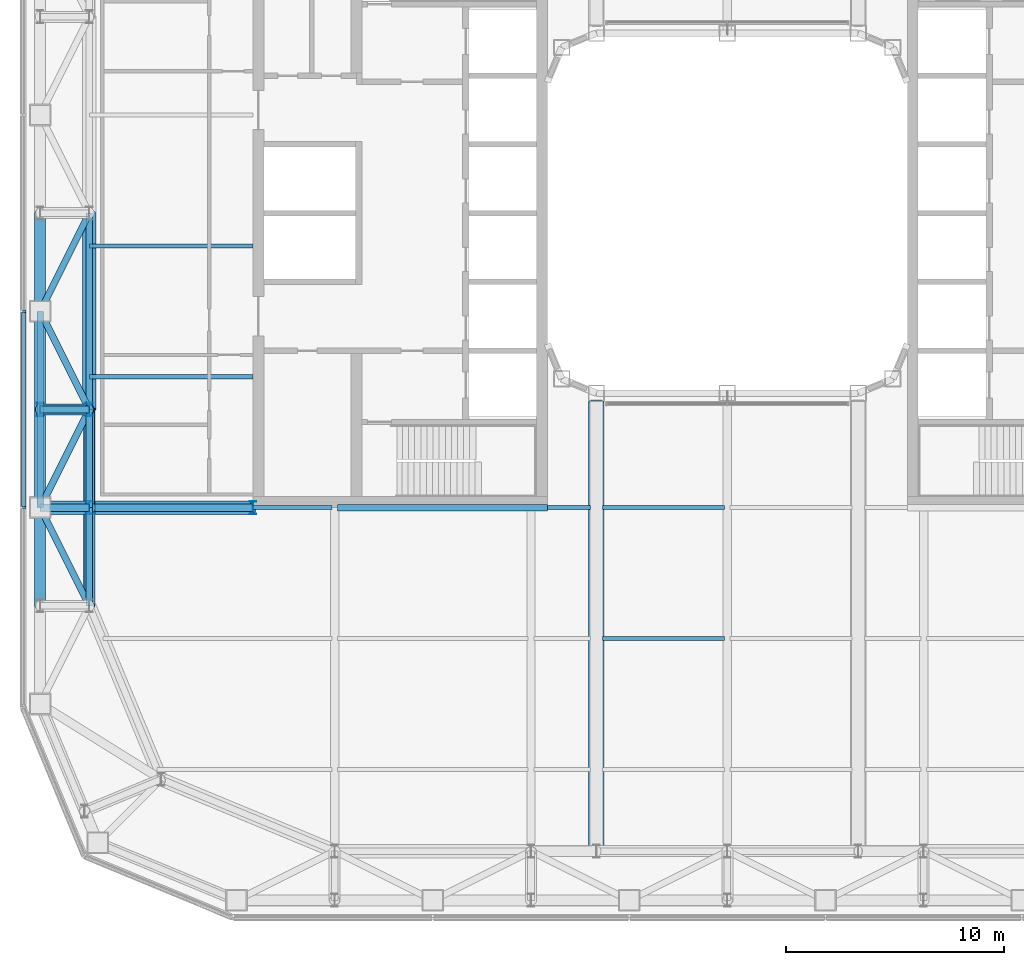
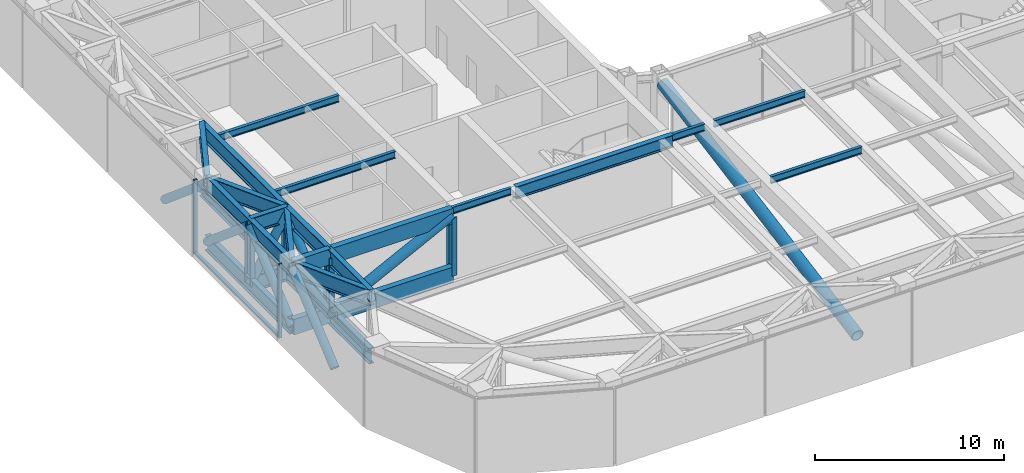
# One storey, part 3 of 33: 25 beams, 18 members, 1 element without a shape of its own.
"""IFC4 building model written with IfcOpenShell, lengths in metres."""

from ifc_helpers import new_model, si_unit, direction, frame, origin, origin_2d, place, context, subcontext, project, spatial, rectangle, hollow_rectangle, hollow_circle, i_section, extrude, material, layer, layer_set, material_profile, profile_set, type_object, element, aggregate, save


model = new_model("IFC4")

# Units and contexts
model_context = context("Model", 3, precision=1e-05, world=origin(), true_north=direction((0.0, 1.0)))
body_context = subcontext(model_context, "Body", "Model", "MODEL_VIEW")
ifc_project = project(units=[si_unit("LENGTHUNIT", "METRE"), si_unit("AREAUNIT", "SQUARE_METRE"), si_unit("VOLUMEUNIT", "CUBIC_METRE"), si_unit("PLANEANGLEUNIT", "RADIAN"), si_unit("MASSUNIT", "GRAM", prefix="KILO")], contexts=[model_context])

# Site, building, storey
site_placement = place(None, origin())
site = spatial("IfcSite", under=ifc_project, at=site_placement, CompositionType="ELEMENT")
building_placement = place(site_placement, origin())
building = spatial("IfcBuilding", under=site, at=building_placement, Name="Siwar Civic Tower", CompositionType="ELEMENT")
storey_placement = place(building_placement, frame((0.0, 0.0, 94.199951171875)))
storey = spatial("IfcBuildingStorey", under=building, at=storey_placement, Name="L20", CompositionType="ELEMENT", Elevation=94.199951171875)

# Curtain wall, members
ifc_material_1 = material(Name="Aluminium and glass", Category="aluminium")
ifc_layer = layer(ifc_material_1, 0.199951171875)
ifc_layer_set = layer_set([ifc_layer], Name="Aluminium and glass")
curtain_wall_type = type_object("IfcCurtainWallType", Name="ENV-CW-P", PredefinedType="NOTDEFINED", material=ifc_layer_set)
curtain_wall_placement = place(storey_placement, origin())
curtain_wall = element("IfcCurtainWall", 1, at=curtain_wall_placement, inside=storey, type_object=curtain_wall_type, Name="Curtain wall P W", PredefinedType="NOTDEFINED")
ifc_material_2 = material(Name="Aluminium 6063-T6", Category="aluminium")
ifc_material_profile_1 = material_profile(ifc_material_2, rectangle(XDim=0.199951171875, YDim=0.10009765625, at=origin_2d()), Name="AL 200x100")
ifc_profile_set_1 = profile_set([ifc_material_profile_1], Name="Aluminium 6063-T6")
member_type_1 = type_object("IfcMemberType", Name="ENV-MULLION-P", PredefinedType="MULLION", material=ifc_profile_set_1)
member_1_placement = place(storey_placement, frame((-32.25, -4.5, 0.0), z_axis=(0.0, 0.0, 1.0), x_axis=(1.0, 0.0, 0.0)))
member_1 = element("IfcMember", 2, at=member_1_placement, type_object=member_type_1, Name="Mullion P W 4", PredefinedType="MULLION", context=body_context, shape_type="SweptSolid", body=[
    extrude(rectangle(XDim=0.199951171875, YDim=0.10009765625, at=origin_2d()), origin(), (0.0, 0.0, 1.0), 4.800048828125),
])
member_2_placement = place(storey_placement, frame((-32.25, -13.5, 0.0), z_axis=(0.0, 0.0, 1.0), x_axis=(1.0, 0.0, 0.0)))
member_2 = element("IfcMember", 3, at=member_2_placement, type_object=member_type_1, Name="Mullion P W 5", PredefinedType="MULLION", context=body_context, shape_type="SweptSolid", body=[
    extrude(rectangle(XDim=0.199951171875, YDim=0.10009765625, at=origin_2d()), origin(), (0.0, 0.0, 1.0), 4.800048828125),
])
ifc_material_3 = material(Name="Aluminium 6063-T6", Category="aluminium")
ifc_material_profile_2 = material_profile(ifc_material_3, rectangle(XDim=0.199951171875, YDim=0.1201171875, at=origin_2d()), Name="AL 200x120")
ifc_profile_set_2 = profile_set([ifc_material_profile_2], Name="Aluminium 6063-T6")
member_type_2 = type_object("IfcMemberType", Name="ENV-TRANSOM-P", PredefinedType="USERDEFINED", material=ifc_profile_set_2)
member_3_placement = place(storey_placement, frame((-32.25, -4.550048828125, 0.06005859375), z_axis=(0.0, -1.0, 0.0), x_axis=(1.0, 0.0, 0.0)))
member_3 = element("IfcMember", 4, at=member_3_placement, type_object=member_type_2, Name="Transom P W 4", ObjectType="TRANSOM", PredefinedType="USERDEFINED", context=body_context, shape_type="SweptSolid", body=[
    extrude(rectangle(XDim=0.199951171875, YDim=0.1201171875, at=origin_2d()), origin(), (0.0, 0.0, 1.0), 8.89990234375),
])
aggregate(curtain_wall, [member_1, member_2, member_3])

# Beams
ifc_material_4 = material(Name="Steel S460", Category="steel")
ifc_material_profile_3 = material_profile(ifc_material_4, i_section(OverallWidth=0.302001953125, OverallDepth=1.008056640625, WebThickness=0.02099609375, FlangeThickness=0.0400390625, FilletRadius=0.030029296875, at=origin_2d()), Name="HEM1000")
ifc_profile_set_3 = profile_set([ifc_material_profile_3], Name="Steel S460")
beam_type_1 = type_object("IfcBeamType", Name="STR-BELT-TRUSS-CHORD-HEM1000", PredefinedType="BEAM", material=ifc_profile_set_3)
for number, where, z_axis, x_axis, name in (
    (5, (-29.25, 0.0, 0.504150390625), (0.0, -1.0, 0.0), (1.0, 0.0, 0.0), "Belt truss chord"),
    (6, (-29.25, 0.0, 4.296142578125), (0.0, -1.0, 0.0), (1.0, 0.0, 0.0), "Belt truss chord"),
):
    element("IfcBeam", number, at=place(storey_placement, frame(where, z_axis=z_axis, x_axis=x_axis)), inside=storey, type_object=beam_type_1, Name=name, PredefinedType="BEAM", context=body_context, shape_type="SweptSolid", body=[
        extrude(i_section(OverallWidth=0.302001953125, OverallDepth=1.008056640625, WebThickness=0.02099609375, FlangeThickness=0.0400390625, FilletRadius=0.030029296875, at=origin_2d()), origin(), (0.0, 0.0, 1.0), 9.0),
    ])
for number, where, z_axis, x_axis, name in (
    (7, (-29.25, -9.0, 0.504150390625), (0.0, -1.0, 0.0), (1.0, 0.0, 0.0), "Belt truss chord"),
    (8, (-29.25, -9.0, 4.296142578125), (0.0, -1.0, 0.0), (1.0, 0.0, 0.0), "Belt truss chord"),
    (9, (-29.25, -13.5, 0.504150390625), (0.0, -1.0, 0.0), (1.0, 0.0, 0.0), "Belt truss chord"),
    (10, (-29.25, -13.5, 4.296142578125), (0.0, -1.0, 0.0), (1.0, 0.0, 0.0), "Belt truss chord"),
):
    element("IfcBeam", number, at=place(storey_placement, frame(where, z_axis=z_axis, x_axis=x_axis)), inside=storey, type_object=beam_type_1, Name=name, PredefinedType="BEAM", context=body_context, shape_type="SweptSolid", body=[
        extrude(i_section(OverallWidth=0.302001953125, OverallDepth=1.008056640625, WebThickness=0.02099609375, FlangeThickness=0.0400390625, FilletRadius=0.030029296875, at=origin_2d()), origin(), (0.0, 0.0, 1.0), 4.5),
    ])
for number, where, z_axis, x_axis, name in (
    (11, (-31.5, -4.5, 0.504150390625), (0.0, -1.0, 0.0), (1.0, 0.0, 0.0), "Belt truss chord"),
    (12, (-31.5, -4.5, 4.296142578125), (0.0, -1.0, 0.0), (1.0, 0.0, 0.0), "Belt truss chord"),
):
    element("IfcBeam", number, at=place(storey_placement, frame(where, z_axis=z_axis, x_axis=x_axis)), inside=storey, type_object=beam_type_1, Name=name, PredefinedType="BEAM", context=body_context, shape_type="SweptSolid", body=[
        extrude(i_section(OverallWidth=0.302001953125, OverallDepth=1.008056640625, WebThickness=0.02099609375, FlangeThickness=0.0400390625, FilletRadius=0.030029296875, at=origin_2d()), origin(), (0.0, 0.0, 1.0), 9.0),
    ])

# Members
ifc_material_5 = material(Name="Steel S355", Category="steel")
ifc_material_profile_4 = material_profile(ifc_material_5, hollow_circle(Radius=0.25390625, WallThickness=0.02490234375, at=origin_2d()), Name="CHS508x25")
ifc_profile_set_4 = profile_set([ifc_material_profile_4], Name="Steel S355")
member_type_3 = type_object("IfcMemberType", Name="STR-BELT-TRUSS-DIAGONAL-CHS508x25", PredefinedType="BRACE", material=ifc_profile_set_4)
for number, where, z_axis, x_axis, name in (
    (13, (-29.25, -13.50390625, 0.500732421875), (0.0, 0.764699580999, 0.644386957364), (-1.0, 0.0, 0.0), "Belt truss diagonal"),
    (14, (-29.25, -13.49609375, 0.500732421875), (0.0, -0.764699580999, 0.644386957364), (1.0, 0.0, 0.0), "Belt truss diagonal"),
    (15, (-31.5, 0.00390625, 0.500732421875), (0.0, -0.764699580999, 0.644386957364), (1.0, 0.0, 0.0), "Belt truss diagonal"),
    (16, (-31.5, -4.49609375, 0.500732421875), (0.0, -0.764699580999, 0.644386957364), (1.0, 0.0, 0.0), "Belt truss diagonal"),
    (17, (-31.5, -13.50390625, 0.500732421875), (0.0, 0.764699580999, 0.644386957364), (-1.0, 0.0, 0.0), "Belt truss diagonal"),
    (18, (-31.5, -18.00390625, 0.500732421875), (0.0, 0.764699580999, 0.644386957364), (-1.0, 0.0, 0.0), "Belt truss diagonal"),
):
    element("IfcMember", number, at=place(storey_placement, frame(where, z_axis=z_axis, x_axis=x_axis)), inside=storey, type_object=member_type_3, Name=name, PredefinedType="BRACE", context=body_context, shape_type="SweptSolid", body=[
        extrude(hollow_circle(Radius=0.25390625, WallThickness=0.02490234375, at=origin_2d()), origin(), (0.0, 0.0, 1.0), 5.894775390625),
    ])
member_4_placement = place(storey_placement, frame((-31.50244140625, -9.0, 0.499755859375), z_axis=(0.510256630496, 0.0, 0.860022192176), x_axis=(0.0, 1.0, 0.0)))
element("IfcMember", 19, at=member_4_placement, inside=storey, type_object=member_type_3, Name="Belt truss diagonal", PredefinedType="BRACE", context=body_context, shape_type="SweptSolid", body=[
    extrude(hollow_circle(Radius=0.25390625, WallThickness=0.02490234375, at=origin_2d()), origin(), (0.0, 0.0, 1.0), 4.419189453125),
])
ifc_material_6 = material(Name="Steel S355", Category="steel")
ifc_material_profile_5 = material_profile(ifc_material_6, hollow_circle(Radius=0.304931640625, WallThickness=0.030029296875, at=origin_2d()), Name="CHS610x30")
ifc_profile_set_5 = profile_set([ifc_material_profile_5], Name="Steel S355")
member_type_4 = type_object("IfcMemberType", Name="STR-BELT-TRUSS-DIAGONAL-CHS610x30", PredefinedType="BRACE", material=ifc_profile_set_5)
member_5_placement = place(storey_placement, frame((-29.25, 0.004638671875, 0.502197265625), z_axis=(0.0, -0.921543214524, 0.388275808884), x_axis=(1.0, 0.0, 0.0)))
element("IfcMember", 20, at=member_5_placement, inside=storey, type_object=member_type_4, Name="Belt truss diagonal", PredefinedType="BRACE", context=body_context, shape_type="SweptSolid", body=[
    extrude(hollow_circle(Radius=0.304931640625, WallThickness=0.030029296875, at=origin_2d()), origin(), (0.0, 0.0, 1.0), 9.7763671875),
])

# Beams
ifc_material_7 = material(Name="Steel S460", Category="steel")
ifc_material_profile_6 = material_profile(ifc_material_7, i_section(OverallWidth=0.302001953125, OverallDepth=1.008056640625, WebThickness=0.02099609375, FlangeThickness=0.0400390625, FilletRadius=0.030029296875, at=origin_2d()), Name="HEM1000")
ifc_profile_set_6 = profile_set([ifc_material_profile_6], Name="Steel S460")
beam_type_2 = type_object("IfcBeamType", Name="STR-BELT-TRUSS-LADDER-CHORD-HEM1000", PredefinedType="BEAM", material=ifc_profile_set_6)
for number, where, z_axis, x_axis, name in (
    (21, (-29.25, -9.0, 0.504150390625), (-1.0, 0.0, 0.0), (0.0, -1.0, 0.0), "Belt truss ladder chord"),
    (22, (-29.25, -9.0, 4.296142578125), (-1.0, 0.0, 0.0), (0.0, -1.0, 0.0), "Belt truss ladder chord"),
):
    element("IfcBeam", number, at=place(storey_placement, frame(where, z_axis=z_axis, x_axis=x_axis)), inside=storey, type_object=beam_type_2, Name=name, PredefinedType="BEAM", context=body_context, shape_type="SweptSolid", body=[
        extrude(i_section(OverallWidth=0.302001953125, OverallDepth=1.008056640625, WebThickness=0.02099609375, FlangeThickness=0.0400390625, FilletRadius=0.030029296875, at=origin_2d()), origin(), (0.0, 0.0, 1.0), 2.25),
    ])

# Members
ifc_material_8 = material(Name="Steel S355", Category="steel")
ifc_material_profile_7 = material_profile(ifc_material_8, i_section(OverallWidth=0.300048828125, OverallDepth=0.60009765625, WebThickness=0.015380859375, FlangeThickness=0.030029296875, FilletRadius=0.027099609375, at=origin_2d()), Name="HEB600")
ifc_profile_set_7 = profile_set([ifc_material_profile_7], Name="Steel S355")
member_type_5 = type_object("IfcMemberType", Name="STR-BELT-TRUSS-POST-HEB600", PredefinedType="POST", material=ifc_profile_set_7)
for number, where, z_axis, x_axis, name in (
    (23, (-31.5, -9.0, 0.504150390625), (0.0, 0.0, 1.0), (1.0, 0.0, 0.0), "Belt truss post"),
    (24, (-29.25, -13.5, 0.504150390625), (0.0, 0.0, 1.0), (1.0, 0.0, 0.0), "Belt truss post"),
    (25, (-29.25, -9.0, 0.504150390625), (0.0, 0.0, 1.0), (1.0, 0.0, 0.0), "Belt truss post"),
):
    element("IfcMember", number, at=place(storey_placement, frame(where, z_axis=z_axis, x_axis=x_axis)), inside=storey, type_object=member_type_5, Name=name, PredefinedType="POST", context=body_context, shape_type="SweptSolid", body=[
        extrude(i_section(OverallWidth=0.300048828125, OverallDepth=0.60009765625, WebThickness=0.015380859375, FlangeThickness=0.030029296875, FilletRadius=0.027099609375, at=origin_2d()), origin(), (0.0, 0.0, 1.0), 3.7919921875),
    ])

# Beams
ifc_material_9 = material(Name="Steel S355", Category="steel")
ifc_material_profile_8 = material_profile(ifc_material_9, i_section(OverallWidth=0.18994140625, OverallDepth=0.449951171875, WebThickness=0.009521484375, FlangeThickness=0.0146484375, FilletRadius=0.02099609375, at=origin_2d()), Name="IPE450")
ifc_profile_set_8 = profile_set([ifc_material_profile_8], Name="Steel S355")
beam_type_3 = type_object("IfcBeamType", Name="STR-FB-IPE450", PredefinedType="JOIST", material=ifc_profile_set_8)
beam_1_placement = place(storey_placement, frame((-5.719970703125, -19.5, 4.574951171875), z_axis=(1.0, 0.0, 0.0), x_axis=(0.0, 1.0, 0.0)))
element("IfcBeam", 26, at=beam_1_placement, inside=storey, type_object=beam_type_3, Name="L20/bm/F012", PredefinedType="JOIST", context=body_context, shape_type="SweptSolid", body=[
    extrude(i_section(OverallWidth=0.18994140625, OverallDepth=0.449951171875, WebThickness=0.009521484375, FlangeThickness=0.0146484375, FilletRadius=0.02099609375, at=origin_2d()), origin(), (0.0, 0.0, 1.0), 5.590087890625),
])
beam_2_placement = place(storey_placement, frame((-21.75, -13.5, 4.574951171875), z_axis=(1.0, 0.0, 0.0), x_axis=(0.0, 1.0, 0.0)))
element("IfcBeam", 27, at=beam_2_placement, inside=storey, type_object=beam_type_3, Name="L20/bm/F017", PredefinedType="JOIST", context=body_context, shape_type="SweptSolid", body=[
    extrude(i_section(OverallWidth=0.18994140625, OverallDepth=0.449951171875, WebThickness=0.009521484375, FlangeThickness=0.0146484375, FilletRadius=0.02099609375, at=origin_2d()), origin(), (0.0, 0.0, 1.0), 3.6201171875),
])
beam_3_placement = place(storey_placement, frame((-8.25, -13.5, 4.574951171875), z_axis=(1.0, 0.0, 0.0), x_axis=(0.0, 1.0, 0.0)))
element("IfcBeam", 28, at=beam_3_placement, inside=storey, type_object=beam_type_3, Name="L20/bm/F019", PredefinedType="JOIST", context=body_context, shape_type="SweptSolid", body=[
    extrude(i_section(OverallWidth=0.18994140625, OverallDepth=0.449951171875, WebThickness=0.009521484375, FlangeThickness=0.0146484375, FilletRadius=0.02099609375, at=origin_2d()), origin(), (0.0, 0.0, 1.0), 1.969970703125),
])
beam_4_placement = place(storey_placement, frame((-5.719970703125, -13.5, 4.574951171875), z_axis=(1.0, 0.0, 0.0), x_axis=(0.0, 1.0, 0.0)))
element("IfcBeam", 29, at=beam_4_placement, inside=storey, type_object=beam_type_3, Name="L20/bm/F020", PredefinedType="JOIST", context=body_context, shape_type="SweptSolid", body=[
    extrude(i_section(OverallWidth=0.18994140625, OverallDepth=0.449951171875, WebThickness=0.009521484375, FlangeThickness=0.0146484375, FilletRadius=0.02099609375, at=origin_2d()), origin(), (0.0, 0.0, 1.0), 5.590087890625),
])
for number, where, z_axis, x_axis, name in (
    (30, (-29.25, -7.5, 4.574951171875), (1.0, 0.0, 0.0), (0.0, 1.0, 0.0), "L20/bm/F025"),
    (31, (-29.25, -1.5, 4.574951171875), (1.0, 0.0, 0.0), (0.0, 1.0, 0.0), "L20/bm/F027"),
):
    element("IfcBeam", number, at=place(storey_placement, frame(where, z_axis=z_axis, x_axis=x_axis)), inside=storey, type_object=beam_type_3, Name=name, PredefinedType="JOIST", context=body_context, shape_type="SweptSolid", body=[
        extrude(i_section(OverallWidth=0.18994140625, OverallDepth=0.449951171875, WebThickness=0.009521484375, FlangeThickness=0.0146484375, FilletRadius=0.02099609375, at=origin_2d()), origin(), (0.0, 0.0, 1.0), 7.5),
    ])
ifc_material_10 = material(Name="Steel S460", Category="steel")
ifc_material_profile_9 = material_profile(ifc_material_10, hollow_rectangle(XDim=0.35009765625, YDim=1.008056640625, WallThickness=0.0400390625, at=origin_2d()), Name="BOX1008x350x40")
ifc_profile_set_9 = profile_set([ifc_material_profile_9], Name="Steel S460")
beam_type_4 = type_object("IfcBeamType", Name="STR-OUTRIGGER-TRUSS-CHORD-BOX1008x350x40", PredefinedType="BEAM", material=ifc_profile_set_9)
for number, where, z_axis, x_axis, name in (
    (32, (-31.5, -13.5, 0.504150390625), (1.0, 0.0, 0.0), (0.0, 1.0, 0.0), "Outrigger truss chord"),
    (33, (-31.5, -13.5, 4.296142578125), (1.0, 0.0, 0.0), (0.0, 1.0, 0.0), "Outrigger truss chord"),
):
    element("IfcBeam", number, at=place(storey_placement, frame(where, z_axis=z_axis, x_axis=x_axis)), inside=storey, type_object=beam_type_4, Name=name, PredefinedType="BEAM", context=body_context, shape_type="SweptSolid", body=[
        extrude(hollow_rectangle(XDim=0.35009765625, YDim=1.008056640625, WallThickness=0.0400390625, at=origin_2d()), origin(), (0.0, 0.0, 1.0), 2.25),
    ])
for number, where, z_axis, x_axis, name in (
    (34, (-29.25, -13.5, 0.504150390625), (1.0, 0.0, 0.0), (0.0, 1.0, 0.0), "Outrigger truss chord"),
    (35, (-29.25, -13.5, 4.296142578125), (1.0, 0.0, 0.0), (0.0, 1.0, 0.0), "Outrigger truss chord"),
):
    element("IfcBeam", number, at=place(storey_placement, frame(where, z_axis=z_axis, x_axis=x_axis)), inside=storey, type_object=beam_type_4, Name=name, PredefinedType="BEAM", context=body_context, shape_type="SweptSolid", body=[
        extrude(hollow_rectangle(XDim=0.35009765625, YDim=1.008056640625, WallThickness=0.0400390625, at=origin_2d()), origin(), (0.0, 0.0, 1.0), 7.5),
    ])

# Members
ifc_material_11 = material(Name="Steel S355", Category="steel")
ifc_material_profile_10 = material_profile(ifc_material_11, hollow_circle(Radius=0.304931640625, WallThickness=0.030029296875, at=origin_2d()), Name="CHS610x30")
ifc_profile_set_10 = profile_set([ifc_material_profile_10], Name="Steel S355")
member_type_6 = type_object("IfcMemberType", Name="STR-OUTRIGGER-TRUSS-DIAGONAL-CHS610x30", PredefinedType="BRACE", material=ifc_profile_set_10)
member_6_placement = place(storey_placement, frame((-29.24755859375, -13.5, 0.499755859375), z_axis=(-0.510256630496, 0.0, 0.860022192176), x_axis=(0.0, -1.0, 0.0)))
element("IfcMember", 36, at=member_6_placement, inside=storey, type_object=member_type_6, Name="Outrigger truss diagonal", PredefinedType="BRACE", context=body_context, shape_type="SweptSolid", body=[
    extrude(hollow_circle(Radius=0.304931640625, WallThickness=0.030029296875, at=origin_2d()), origin(), (0.0, 0.0, 1.0), 4.419189453125),
])
member_7_placement = place(storey_placement, frame((-29.25439453125, -13.5, 0.501708984375), z_axis=(0.892410281818, 0.0, 0.451224876205), x_axis=(0.0, 1.0, 0.0)))
element("IfcMember", 37, at=member_7_placement, inside=storey, type_object=member_type_6, Name="Outrigger truss diagonal", PredefinedType="BRACE", context=body_context, shape_type="SweptSolid", body=[
    extrude(hollow_circle(Radius=0.304931640625, WallThickness=0.030029296875, at=origin_2d()), origin(), (0.0, 0.0, 1.0), 8.4140625),
])
ifc_material_12 = material(Name="Steel S355", Category="steel")
ifc_material_profile_11 = material_profile(ifc_material_12, hollow_circle(Radius=0.35546875, WallThickness=0.0400390625, at=origin_2d()), Name="CHS711x40")
ifc_profile_set_11 = profile_set([ifc_material_profile_11], Name="Steel S355")
member_type_7 = type_object("IfcMemberType", Name="STR-OUTRIGGER-TRUSS-DIAGONAL-CHS711x40", PredefinedType="BRACE", material=ifc_profile_set_11)
member_8_placement = place(storey_placement, frame((-6.0, -29.2548828125, 0.503173828125), z_axis=(0.0, 0.983516307221, 0.18081944981), x_axis=(-1.0, 0.0, 0.0)))
element("IfcMember", 38, at=member_8_placement, inside=storey, type_object=member_type_7, Name="Outrigger truss diagonal", PredefinedType="BRACE", context=body_context, shape_type="SweptSolid", body=[
    extrude(hollow_circle(Radius=0.35546875, WallThickness=0.0400390625, at=origin_2d()), origin(), (0.0, 0.0, 1.0), 20.980712890625),
])
ifc_material_13 = material(Name="Steel S355", Category="steel")
ifc_material_profile_12 = material_profile(ifc_material_13, i_section(OverallWidth=0.300048828125, OverallDepth=0.60009765625, WebThickness=0.015380859375, FlangeThickness=0.030029296875, FilletRadius=0.027099609375, at=origin_2d()), Name="HEB600")
ifc_profile_set_12 = profile_set([ifc_material_profile_12], Name="Steel S355")
member_type_8 = type_object("IfcMemberType", Name="STR-OUTRIGGER-TRUSS-POST-HEB600", PredefinedType="POST", material=ifc_profile_set_12)
member_9_placement = place(storey_placement, frame((-21.75, -13.5, 0.504150390625), z_axis=(0.0, 0.0, 1.0), x_axis=(1.0, 0.0, 0.0)))
element("IfcMember", 39, at=member_9_placement, inside=storey, type_object=member_type_8, Name="Outrigger truss post", PredefinedType="POST", context=body_context, shape_type="SweptSolid", body=[
    extrude(i_section(OverallWidth=0.300048828125, OverallDepth=0.60009765625, WebThickness=0.015380859375, FlangeThickness=0.030029296875, FilletRadius=0.027099609375, at=origin_2d()), origin(), (0.0, 0.0, 1.0), 3.7919921875),
])

# Beams
ifc_material_14 = material(Name="Steel S355", Category="steel")
ifc_material_profile_13 = material_profile(ifc_material_14, i_section(OverallWidth=0.300048828125, OverallDepth=0.800048828125, WebThickness=0.017578125, FlangeThickness=0.032958984375, FilletRadius=0.030029296875, at=origin_2d()), Name="HEB800")
ifc_profile_set_13 = profile_set([ifc_material_profile_13], Name="Steel S355")
beam_type_5 = type_object("IfcBeamType", Name="STR-PG-HEB800", PredefinedType="BEAM", material=ifc_profile_set_13)
beam_5_placement = place(storey_placement, frame((-17.8701171875, -13.5, 4.400146484375), z_axis=(1.0, 0.0, 0.0), x_axis=(0.0, 1.0, 0.0)))
element("IfcBeam", 40, at=beam_5_placement, inside=storey, type_object=beam_type_5, Name="L20/bm/F018", PredefinedType="BEAM", context=body_context, shape_type="SweptSolid", body=[
    extrude(i_section(OverallWidth=0.300048828125, OverallDepth=0.800048828125, WebThickness=0.017578125, FlangeThickness=0.032958984375, FilletRadius=0.030029296875, at=origin_2d()), origin(), (0.0, 0.0, 1.0), 9.6201171875),
])
ifc_material_15 = material(Name="Steel S460", Category="steel")
ifc_material_profile_14 = material_profile(ifc_material_15, i_section(OverallWidth=0.302001953125, OverallDepth=1.008056640625, WebThickness=0.02099609375, FlangeThickness=0.0400390625, FilletRadius=0.030029296875, at=origin_2d()), Name="HEM1000")
ifc_profile_set_14 = profile_set([ifc_material_profile_14], Name="Steel S460")
beam_type_6 = type_object("IfcBeamType", Name="STR-TRANSFER-GIRDER-HEM1000", PredefinedType="BEAM", material=ifc_profile_set_14)
for number, where, z_axis, x_axis, name in (
    (41, (-29.25, 0.0, 4.296142578125), (-0.4472135955, -0.894427191, 0.0), (0.894427191, -0.4472135955, 0.0), "Transfer girder"),
    (42, (-29.25, -9.0, 4.296142578125), (-0.4472135955, -0.894427191, 0.0), (0.894427191, -0.4472135955, 0.0), "Transfer girder"),
    (43, (-29.25, -9.0, 4.296142578125), (-0.4472135955, 0.894427191, 0.0), (-0.894427191, -0.4472135955, 0.0), "Transfer girder"),
    (44, (-29.25, -18.0, 4.296142578125), (-0.4472135955, 0.894427191, 0.0), (-0.894427191, -0.4472135955, 0.0), "Transfer girder"),
):
    element("IfcBeam", number, at=place(storey_placement, frame(where, z_axis=z_axis, x_axis=x_axis)), inside=storey, type_object=beam_type_6, Name=name, PredefinedType="BEAM", context=body_context, shape_type="SweptSolid", body=[
        extrude(i_section(OverallWidth=0.302001953125, OverallDepth=1.008056640625, WebThickness=0.02099609375, FlangeThickness=0.0400390625, FilletRadius=0.030029296875, at=origin_2d()), origin(), (0.0, 0.0, 1.0), 5.03125),
    ])

save(model, "model.ifc")
